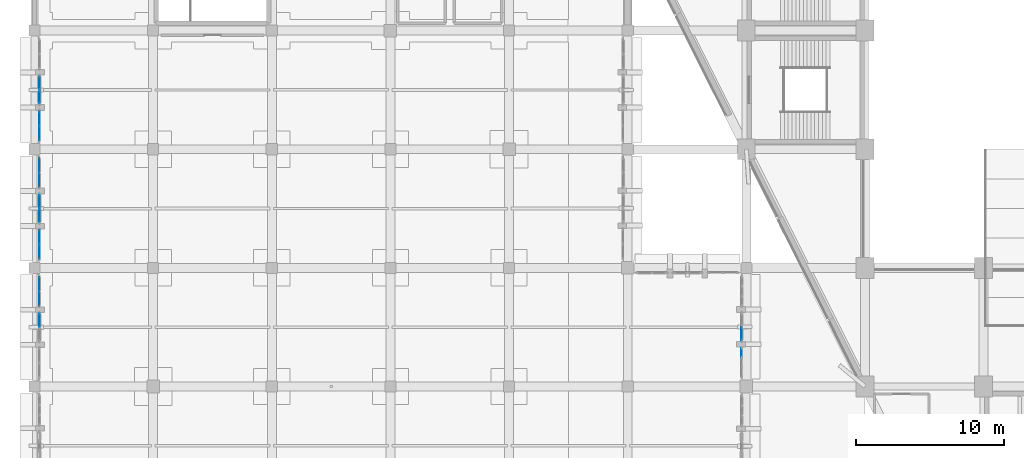
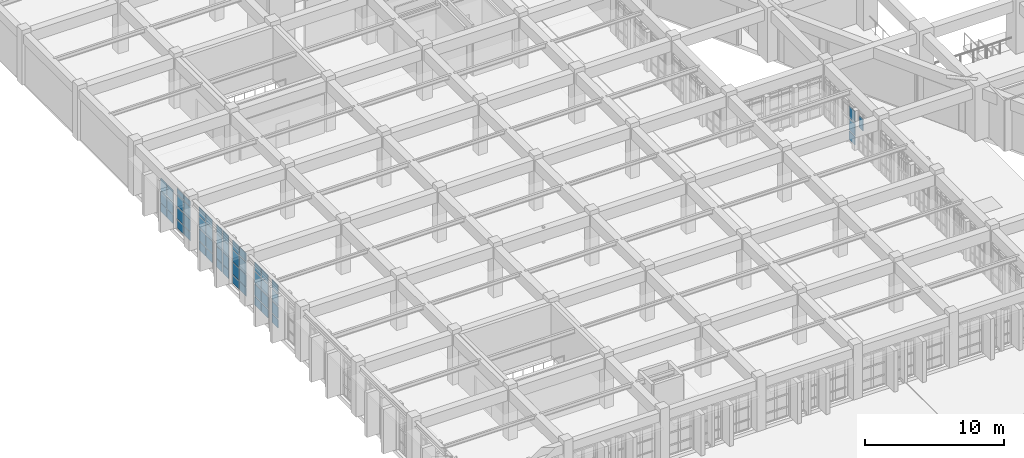
# One storey, part 89 of 155: 54 plates, 9 elements without a shape of their own.
"""IFC4 building model written with IfcOpenShell, lengths in metres."""

from ifc_helpers import new_model, si_unit, direction, frame, origin, origin_2d, place, context, subcontext, project, spatial, rectangle, extrude, material, layer, layer_set, type_object, element, aggregate, save


model = new_model("IFC4")

# Units and contexts
model_context = context("Model", 3, precision=1e-05, world=origin(), true_north=direction((0.0, 1.0)))
body_context = subcontext(model_context, "Body", "Model", "MODEL_VIEW")
ifc_project = project(units=[si_unit("LENGTHUNIT", "METRE"), si_unit("AREAUNIT", "SQUARE_METRE"), si_unit("VOLUMEUNIT", "CUBIC_METRE"), si_unit("PLANEANGLEUNIT", "RADIAN"), si_unit("MASSUNIT", "GRAM", prefix="KILO")], contexts=[model_context])

# Site, building, storey
site_placement = place(None, origin())
site = spatial("IfcSite", under=ifc_project, at=site_placement, CompositionType="ELEMENT")
building_placement = place(site_placement, origin())
building = spatial("IfcBuilding", under=site, at=building_placement, Name="Tazarka Park Arena", CompositionType="ELEMENT")
storey_placement = place(building_placement, frame((0.0, 0.0, 5.39990234375)))
storey = spatial("IfcBuildingStorey", under=building, at=storey_placement, Name="L01", CompositionType="ELEMENT", Elevation=5.39990234375)

# Curtain wall, plate
ifc_material_1 = material(Name="Aluminium and low-e glass", Category="aluminium")
ifc_layer_1 = layer(ifc_material_1, 0.179931640625, Name="Aluminium and low-e glass")
ifc_layer_set_1 = layer_set([ifc_layer_1], Name="Aluminium and low-e glass")
curtain_wall_type_1 = type_object("IfcCurtainWallType", Name="CW-09", PredefinedType="NOTDEFINED", material=ifc_layer_set_1)
curtain_wall_1_placement = place(storey_placement, origin())
curtain_wall_1 = element("IfcCurtainWall", 1, at=curtain_wall_1_placement, inside=storey, type_object=curtain_wall_type_1, Name="Curtain Wall CWA-L01-099", PredefinedType="NOTDEFINED")
ifc_material_2 = material(Name="Double low-e insulated glazing", Category="glass")
ifc_layer_2 = layer(ifc_material_2, 0.028076171875, Name="Double low-e insulated glazing")
ifc_layer_set_2 = layer_set([ifc_layer_2], Name="Double low-e insulated glazing")
plate_type_1 = type_object("IfcPlateType", Name="CWP-01", PredefinedType="CURTAIN_PANEL", material=ifc_layer_set_2)
plate_1_placement = place(storey_placement, frame((47.679931640625, 34.285888671875, 1.982421875), z_axis=(0.0, 0.0, 1.0), x_axis=(0.0, -1.0, 0.0)))
plate_1 = element("IfcPlate", 2, at=plate_1_placement, type_object=plate_type_1, Name="CW-09 panel 1.3", PredefinedType="CURTAIN_PANEL", context=body_context, shape_type="SweptSolid", body=[
    extrude(rectangle(XDim=0.581298828125, YDim=0.028076171875, at=origin_2d()), origin(), (0.0, 0.0, 1.0), 1.034912109375),
])
aggregate(curtain_wall_1, [plate_1])

# Curtain wall, plates
ifc_material_3 = material(Name="Aluminium and low-e glass", Category="aluminium")
ifc_layer_3 = layer(ifc_material_3, 0.179931640625, Name="Aluminium and low-e glass")
ifc_layer_set_3 = layer_set([ifc_layer_3], Name="Aluminium and low-e glass")
curtain_wall_type_2 = type_object("IfcCurtainWallType", Name="CW-24", PredefinedType="NOTDEFINED", material=ifc_layer_set_3)
curtain_wall_2_placement = place(storey_placement, origin())
curtain_wall_2 = element("IfcCurtainWall", 3, at=curtain_wall_2_placement, inside=storey, type_object=curtain_wall_type_2, Name="Curtain Wall CWA-L01-144", PredefinedType="NOTDEFINED")
plate_2_placement = place(storey_placement, frame((0.320068359375, 45.92138671875, 0.065185546875), z_axis=(0.0, 0.0, 1.0), x_axis=(0.0, 1.0, 0.0)))
plate_2 = element("IfcPlate", 4, at=plate_2_placement, type_object=plate_type_1, Name="CW-24 panel 1.1", PredefinedType="CURTAIN_PANEL", context=body_context, shape_type="SweptSolid", body=[
    extrude(rectangle(XDim=0.92919921875, YDim=0.028076171875, at=origin_2d()), origin(), (0.0, 0.0, 1.0), 0.75244140625),
])
plate_3_placement = place(storey_placement, frame((0.320068359375, 45.92138671875, 0.8828125), z_axis=(0.0, 0.0, 1.0), x_axis=(0.0, 1.0, 0.0)))
plate_3 = element("IfcPlate", 5, at=plate_3_placement, type_object=plate_type_1, Name="CW-24 panel 1.2", PredefinedType="CURTAIN_PANEL", context=body_context, shape_type="SweptSolid", body=[
    extrude(rectangle(XDim=0.92919921875, YDim=0.028076171875, at=origin_2d()), origin(), (0.0, 0.0, 1.0), 1.034912109375),
])
plate_4_placement = place(storey_placement, frame((0.320068359375, 45.92138671875, 1.982421875), z_axis=(0.0, 0.0, 1.0), x_axis=(0.0, 1.0, 0.0)))
plate_4 = element("IfcPlate", 6, at=plate_4_placement, type_object=plate_type_1, Name="CW-24 panel 1.3", PredefinedType="CURTAIN_PANEL", context=body_context, shape_type="SweptSolid", body=[
    extrude(rectangle(XDim=0.92919921875, YDim=0.028076171875, at=origin_2d()), origin(), (0.0, 0.0, 1.0), 1.034912109375),
])
plate_5_placement = place(storey_placement, frame((0.320068359375, 45.92138671875, 3.08251953125), z_axis=(0.0, 0.0, 1.0), x_axis=(0.0, 1.0, 0.0)))
plate_5 = element("IfcPlate", 7, at=plate_5_placement, type_object=plate_type_1, Name="CW-24 panel 1.4", PredefinedType="CURTAIN_PANEL", context=body_context, shape_type="SweptSolid", body=[
    extrude(rectangle(XDim=0.92919921875, YDim=0.028076171875, at=origin_2d()), origin(), (0.0, 0.0, 1.0), 0.762451171875),
])
plate_6_placement = place(storey_placement, frame((0.320068359375, 46.91552734375, 0.065185546875), z_axis=(0.0, 0.0, 1.0), x_axis=(0.0, 1.0, 0.0)))
plate_6 = element("IfcPlate", 8, at=plate_6_placement, type_object=plate_type_1, Name="CW-24 panel 2.1", PredefinedType="CURTAIN_PANEL", context=body_context, shape_type="SweptSolid", body=[
    extrude(rectangle(XDim=0.92919921875, YDim=0.028076171875, at=origin_2d()), origin(), (0.0, 0.0, 1.0), 0.75244140625),
])
plate_7_placement = place(storey_placement, frame((0.320068359375, 46.91552734375, 0.8828125), z_axis=(0.0, 0.0, 1.0), x_axis=(0.0, 1.0, 0.0)))
plate_7 = element("IfcPlate", 9, at=plate_7_placement, type_object=plate_type_1, Name="CW-24 panel 2.2", PredefinedType="CURTAIN_PANEL", context=body_context, shape_type="SweptSolid", body=[
    extrude(rectangle(XDim=0.92919921875, YDim=0.028076171875, at=origin_2d()), origin(), (0.0, 0.0, 1.0), 1.034912109375),
])
plate_8_placement = place(storey_placement, frame((0.320068359375, 46.91552734375, 1.982421875), z_axis=(0.0, 0.0, 1.0), x_axis=(0.0, 1.0, 0.0)))
plate_8 = element("IfcPlate", 10, at=plate_8_placement, type_object=plate_type_1, Name="CW-24 panel 2.3", PredefinedType="CURTAIN_PANEL", context=body_context, shape_type="SweptSolid", body=[
    extrude(rectangle(XDim=0.92919921875, YDim=0.028076171875, at=origin_2d()), origin(), (0.0, 0.0, 1.0), 1.034912109375),
])
plate_9_placement = place(storey_placement, frame((0.320068359375, 46.91552734375, 3.08251953125), z_axis=(0.0, 0.0, 1.0), x_axis=(0.0, 1.0, 0.0)))
plate_9 = element("IfcPlate", 11, at=plate_9_placement, type_object=plate_type_1, Name="CW-24 panel 2.4", PredefinedType="CURTAIN_PANEL", context=body_context, shape_type="SweptSolid", body=[
    extrude(rectangle(XDim=0.92919921875, YDim=0.028076171875, at=origin_2d()), origin(), (0.0, 0.0, 1.0), 0.762451171875),
])
aggregate(curtain_wall_2, [plate_2, plate_3, plate_4, plate_5, plate_6, plate_7, plate_8, plate_9])

ifc_material_4 = material(Name="Aluminium and low-e glass", Category="aluminium")
ifc_layer_4 = layer(ifc_material_4, 0.179931640625, Name="Aluminium and low-e glass")
ifc_layer_set_4 = layer_set([ifc_layer_4], Name="Aluminium and low-e glass")
curtain_wall_type_3 = type_object("IfcCurtainWallType", Name="CW-27", PredefinedType="NOTDEFINED", material=ifc_layer_set_4)
curtain_wall_3_placement = place(storey_placement, origin())
curtain_wall_3 = element("IfcCurtainWall", 12, at=curtain_wall_3_placement, inside=storey, type_object=curtain_wall_type_3, Name="Curtain Wall CWA-L01-147", PredefinedType="NOTDEFINED")
plate_10_placement = place(storey_placement, frame((0.320068359375, 37.92138671875, 0.065185546875), z_axis=(0.0, 0.0, 1.0), x_axis=(0.0, 1.0, 0.0)))
plate_10 = element("IfcPlate", 13, at=plate_10_placement, type_object=plate_type_1, Name="CW-27 panel 1.1", PredefinedType="CURTAIN_PANEL", context=body_context, shape_type="SweptSolid", body=[
    extrude(rectangle(XDim=0.92919921875, YDim=0.028076171875, at=origin_2d()), origin(), (0.0, 0.0, 1.0), 0.75244140625),
])
plate_11_placement = place(storey_placement, frame((0.320068359375, 37.92138671875, 0.8828125), z_axis=(0.0, 0.0, 1.0), x_axis=(0.0, 1.0, 0.0)))
plate_11 = element("IfcPlate", 14, at=plate_11_placement, type_object=plate_type_1, Name="CW-27 panel 1.2", PredefinedType="CURTAIN_PANEL", context=body_context, shape_type="SweptSolid", body=[
    extrude(rectangle(XDim=0.92919921875, YDim=0.028076171875, at=origin_2d()), origin(), (0.0, 0.0, 1.0), 1.034912109375),
])
plate_12_placement = place(storey_placement, frame((0.320068359375, 37.92138671875, 1.982421875), z_axis=(0.0, 0.0, 1.0), x_axis=(0.0, 1.0, 0.0)))
plate_12 = element("IfcPlate", 15, at=plate_12_placement, type_object=plate_type_1, Name="CW-27 panel 1.3", PredefinedType="CURTAIN_PANEL", context=body_context, shape_type="SweptSolid", body=[
    extrude(rectangle(XDim=0.92919921875, YDim=0.028076171875, at=origin_2d()), origin(), (0.0, 0.0, 1.0), 1.034912109375),
])
plate_13_placement = place(storey_placement, frame((0.320068359375, 37.92138671875, 3.08251953125), z_axis=(0.0, 0.0, 1.0), x_axis=(0.0, 1.0, 0.0)))
plate_13 = element("IfcPlate", 16, at=plate_13_placement, type_object=plate_type_1, Name="CW-27 panel 1.4", PredefinedType="CURTAIN_PANEL", context=body_context, shape_type="SweptSolid", body=[
    extrude(rectangle(XDim=0.92919921875, YDim=0.028076171875, at=origin_2d()), origin(), (0.0, 0.0, 1.0), 0.762451171875),
])
plate_14_placement = place(storey_placement, frame((0.320068359375, 38.91552734375, 0.065185546875), z_axis=(0.0, 0.0, 1.0), x_axis=(0.0, 1.0, 0.0)))
plate_14 = element("IfcPlate", 17, at=plate_14_placement, type_object=plate_type_1, Name="CW-27 panel 2.1", PredefinedType="CURTAIN_PANEL", context=body_context, shape_type="SweptSolid", body=[
    extrude(rectangle(XDim=0.92919921875, YDim=0.028076171875, at=origin_2d()), origin(), (0.0, 0.0, 1.0), 0.75244140625),
])
plate_15_placement = place(storey_placement, frame((0.320068359375, 38.91552734375, 0.8828125), z_axis=(0.0, 0.0, 1.0), x_axis=(0.0, 1.0, 0.0)))
plate_15 = element("IfcPlate", 18, at=plate_15_placement, type_object=plate_type_1, Name="CW-27 panel 2.2", PredefinedType="CURTAIN_PANEL", context=body_context, shape_type="SweptSolid", body=[
    extrude(rectangle(XDim=0.92919921875, YDim=0.028076171875, at=origin_2d()), origin(), (0.0, 0.0, 1.0), 1.034912109375),
])
plate_16_placement = place(storey_placement, frame((0.320068359375, 38.91552734375, 1.982421875), z_axis=(0.0, 0.0, 1.0), x_axis=(0.0, 1.0, 0.0)))
plate_16 = element("IfcPlate", 19, at=plate_16_placement, type_object=plate_type_1, Name="CW-27 panel 2.3", PredefinedType="CURTAIN_PANEL", context=body_context, shape_type="SweptSolid", body=[
    extrude(rectangle(XDim=0.92919921875, YDim=0.028076171875, at=origin_2d()), origin(), (0.0, 0.0, 1.0), 1.034912109375),
])
plate_17_placement = place(storey_placement, frame((0.320068359375, 38.91552734375, 3.08251953125), z_axis=(0.0, 0.0, 1.0), x_axis=(0.0, 1.0, 0.0)))
plate_17 = element("IfcPlate", 20, at=plate_17_placement, type_object=plate_type_1, Name="CW-27 panel 2.4", PredefinedType="CURTAIN_PANEL", context=body_context, shape_type="SweptSolid", body=[
    extrude(rectangle(XDim=0.92919921875, YDim=0.028076171875, at=origin_2d()), origin(), (0.0, 0.0, 1.0), 0.762451171875),
])
aggregate(curtain_wall_3, [plate_10, plate_11, plate_12, plate_13, plate_14, plate_15, plate_16, plate_17])

ifc_material_5 = material(Name="Aluminium and low-e glass", Category="aluminium")
ifc_layer_5 = layer(ifc_material_5, 0.179931640625, Name="Aluminium and low-e glass")
ifc_layer_set_5 = layer_set([ifc_layer_5], Name="Aluminium and low-e glass")
curtain_wall_type_4 = type_object("IfcCurtainWallType", Name="CW-19", PredefinedType="NOTDEFINED", material=ifc_layer_set_5)
curtain_wall_4_placement = place(storey_placement, origin())
curtain_wall_4 = element("IfcCurtainWall", 21, at=curtain_wall_4_placement, inside=storey, type_object=curtain_wall_type_4, Name="Curtain Wall CWA-L01-139", PredefinedType="NOTDEFINED")
ifc_material_6 = material(Name="Triple acoustic solar glazing", Category="glass")
ifc_layer_6 = layer(ifc_material_6, 0.031982421875, Name="Triple acoustic solar glazing")
ifc_layer_set_6 = layer_set([ifc_layer_6], Name="Triple acoustic solar glazing")
plate_type_2 = type_object("IfcPlateType", Name="CWP-02", PredefinedType="CURTAIN_PANEL", material=ifc_layer_set_6)
plate_18_placement = place(storey_placement, frame((0.320068359375, 49.08447265625, 0.065185546875), z_axis=(0.0, 0.0, 1.0), x_axis=(0.0, 1.0, 0.0)))
plate_18 = element("IfcPlate", 22, at=plate_18_placement, type_object=plate_type_2, Name="CW-19 panel 1.1", PredefinedType="CURTAIN_PANEL", context=body_context, shape_type="SweptSolid", body=[
    extrude(rectangle(XDim=0.92919921875, YDim=0.031982421875, at=origin_2d()), origin(), (0.0, 0.0, 1.0), 0.75244140625),
])
plate_19_placement = place(storey_placement, frame((0.320068359375, 49.08447265625, 0.8828125), z_axis=(0.0, 0.0, 1.0), x_axis=(0.0, 1.0, 0.0)))
plate_19 = element("IfcPlate", 23, at=plate_19_placement, type_object=plate_type_2, Name="CW-19 panel 1.2", PredefinedType="CURTAIN_PANEL", context=body_context, shape_type="SweptSolid", body=[
    extrude(rectangle(XDim=0.92919921875, YDim=0.031982421875, at=origin_2d()), origin(), (0.0, 0.0, 1.0), 1.034912109375),
])
plate_20_placement = place(storey_placement, frame((0.320068359375, 49.08447265625, 1.982421875), z_axis=(0.0, 0.0, 1.0), x_axis=(0.0, 1.0, 0.0)))
plate_20 = element("IfcPlate", 24, at=plate_20_placement, type_object=plate_type_2, Name="CW-19 panel 1.3", PredefinedType="CURTAIN_PANEL", context=body_context, shape_type="SweptSolid", body=[
    extrude(rectangle(XDim=0.92919921875, YDim=0.031982421875, at=origin_2d()), origin(), (0.0, 0.0, 1.0), 1.034912109375),
])
plate_21_placement = place(storey_placement, frame((0.320068359375, 49.08447265625, 3.08251953125), z_axis=(0.0, 0.0, 1.0), x_axis=(0.0, 1.0, 0.0)))
plate_21 = element("IfcPlate", 25, at=plate_21_placement, type_object=plate_type_2, Name="CW-19 panel 1.4", PredefinedType="CURTAIN_PANEL", context=body_context, shape_type="SweptSolid", body=[
    extrude(rectangle(XDim=0.92919921875, YDim=0.031982421875, at=origin_2d()), origin(), (0.0, 0.0, 1.0), 0.452392578125),
])
plate_22_placement = place(storey_placement, frame((0.320068359375, 50.07861328125, 0.065185546875), z_axis=(0.0, 0.0, 1.0), x_axis=(0.0, 1.0, 0.0)))
plate_22 = element("IfcPlate", 26, at=plate_22_placement, type_object=plate_type_2, Name="CW-19 panel 2.1", PredefinedType="CURTAIN_PANEL", context=body_context, shape_type="SweptSolid", body=[
    extrude(rectangle(XDim=0.92919921875, YDim=0.031982421875, at=origin_2d()), origin(), (0.0, 0.0, 1.0), 0.75244140625),
])
plate_23_placement = place(storey_placement, frame((0.320068359375, 50.07861328125, 0.8828125), z_axis=(0.0, 0.0, 1.0), x_axis=(0.0, 1.0, 0.0)))
plate_23 = element("IfcPlate", 27, at=plate_23_placement, type_object=plate_type_2, Name="CW-19 panel 2.2", PredefinedType="CURTAIN_PANEL", context=body_context, shape_type="SweptSolid", body=[
    extrude(rectangle(XDim=0.92919921875, YDim=0.031982421875, at=origin_2d()), origin(), (0.0, 0.0, 1.0), 1.034912109375),
])
plate_24_placement = place(storey_placement, frame((0.320068359375, 50.07861328125, 1.982421875), z_axis=(0.0, 0.0, 1.0), x_axis=(0.0, 1.0, 0.0)))
plate_24 = element("IfcPlate", 28, at=plate_24_placement, type_object=plate_type_2, Name="CW-19 panel 2.3", PredefinedType="CURTAIN_PANEL", context=body_context, shape_type="SweptSolid", body=[
    extrude(rectangle(XDim=0.92919921875, YDim=0.031982421875, at=origin_2d()), origin(), (0.0, 0.0, 1.0), 1.034912109375),
])
plate_25_placement = place(storey_placement, frame((0.320068359375, 50.07861328125, 3.08251953125), z_axis=(0.0, 0.0, 1.0), x_axis=(0.0, 1.0, 0.0)))
plate_25 = element("IfcPlate", 29, at=plate_25_placement, type_object=plate_type_2, Name="CW-19 panel 2.4", PredefinedType="CURTAIN_PANEL", context=body_context, shape_type="SweptSolid", body=[
    extrude(rectangle(XDim=0.92919921875, YDim=0.031982421875, at=origin_2d()), origin(), (0.0, 0.0, 1.0), 0.452392578125),
])
aggregate(curtain_wall_4, [plate_18, plate_19, plate_20, plate_21, plate_22, plate_23, plate_24, plate_25])

ifc_material_7 = material(Name="Aluminium and low-e glass", Category="aluminium")
ifc_layer_7 = layer(ifc_material_7, 0.179931640625, Name="Aluminium and low-e glass")
ifc_layer_set_7 = layer_set([ifc_layer_7], Name="Aluminium and low-e glass")
curtain_wall_type_5 = type_object("IfcCurtainWallType", Name="CW-22", PredefinedType="NOTDEFINED", material=ifc_layer_set_7)
curtain_wall_5_placement = place(storey_placement, origin())
curtain_wall_5 = element("IfcCurtainWall", 30, at=curtain_wall_5_placement, inside=storey, type_object=curtain_wall_type_5, Name="Curtain Wall CWA-L01-142", PredefinedType="NOTDEFINED")
plate_26_placement = place(storey_placement, frame((0.320068359375, 41.08447265625, 0.065185546875), z_axis=(0.0, 0.0, 1.0), x_axis=(0.0, 1.0, 0.0)))
plate_26 = element("IfcPlate", 31, at=plate_26_placement, type_object=plate_type_2, Name="CW-22 panel 1.1", PredefinedType="CURTAIN_PANEL", context=body_context, shape_type="SweptSolid", body=[
    extrude(rectangle(XDim=0.92919921875, YDim=0.031982421875, at=origin_2d()), origin(), (0.0, 0.0, 1.0), 0.75244140625),
])
plate_27_placement = place(storey_placement, frame((0.320068359375, 41.08447265625, 0.8828125), z_axis=(0.0, 0.0, 1.0), x_axis=(0.0, 1.0, 0.0)))
plate_27 = element("IfcPlate", 32, at=plate_27_placement, type_object=plate_type_2, Name="CW-22 panel 1.2", PredefinedType="CURTAIN_PANEL", context=body_context, shape_type="SweptSolid", body=[
    extrude(rectangle(XDim=0.92919921875, YDim=0.031982421875, at=origin_2d()), origin(), (0.0, 0.0, 1.0), 1.034912109375),
])
plate_28_placement = place(storey_placement, frame((0.320068359375, 41.08447265625, 1.982421875), z_axis=(0.0, 0.0, 1.0), x_axis=(0.0, 1.0, 0.0)))
plate_28 = element("IfcPlate", 33, at=plate_28_placement, type_object=plate_type_2, Name="CW-22 panel 1.3", PredefinedType="CURTAIN_PANEL", context=body_context, shape_type="SweptSolid", body=[
    extrude(rectangle(XDim=0.92919921875, YDim=0.031982421875, at=origin_2d()), origin(), (0.0, 0.0, 1.0), 1.034912109375),
])
plate_29_placement = place(storey_placement, frame((0.320068359375, 41.08447265625, 3.08251953125), z_axis=(0.0, 0.0, 1.0), x_axis=(0.0, 1.0, 0.0)))
plate_29 = element("IfcPlate", 34, at=plate_29_placement, type_object=plate_type_2, Name="CW-22 panel 1.4", PredefinedType="CURTAIN_PANEL", context=body_context, shape_type="SweptSolid", body=[
    extrude(rectangle(XDim=0.92919921875, YDim=0.031982421875, at=origin_2d()), origin(), (0.0, 0.0, 1.0), 0.762451171875),
])
plate_30_placement = place(storey_placement, frame((0.320068359375, 42.07861328125, 0.065185546875), z_axis=(0.0, 0.0, 1.0), x_axis=(0.0, 1.0, 0.0)))
plate_30 = element("IfcPlate", 35, at=plate_30_placement, type_object=plate_type_2, Name="CW-22 panel 2.1", PredefinedType="CURTAIN_PANEL", context=body_context, shape_type="SweptSolid", body=[
    extrude(rectangle(XDim=0.92919921875, YDim=0.031982421875, at=origin_2d()), origin(), (0.0, 0.0, 1.0), 0.75244140625),
])
plate_31_placement = place(storey_placement, frame((0.320068359375, 42.07861328125, 0.8828125), z_axis=(0.0, 0.0, 1.0), x_axis=(0.0, 1.0, 0.0)))
plate_31 = element("IfcPlate", 36, at=plate_31_placement, type_object=plate_type_2, Name="CW-22 panel 2.2", PredefinedType="CURTAIN_PANEL", context=body_context, shape_type="SweptSolid", body=[
    extrude(rectangle(XDim=0.92919921875, YDim=0.031982421875, at=origin_2d()), origin(), (0.0, 0.0, 1.0), 1.034912109375),
])
plate_32_placement = place(storey_placement, frame((0.320068359375, 42.07861328125, 1.982421875), z_axis=(0.0, 0.0, 1.0), x_axis=(0.0, 1.0, 0.0)))
plate_32 = element("IfcPlate", 37, at=plate_32_placement, type_object=plate_type_2, Name="CW-22 panel 2.3", PredefinedType="CURTAIN_PANEL", context=body_context, shape_type="SweptSolid", body=[
    extrude(rectangle(XDim=0.92919921875, YDim=0.031982421875, at=origin_2d()), origin(), (0.0, 0.0, 1.0), 1.034912109375),
])
plate_33_placement = place(storey_placement, frame((0.320068359375, 42.07861328125, 3.08251953125), z_axis=(0.0, 0.0, 1.0), x_axis=(0.0, 1.0, 0.0)))
plate_33 = element("IfcPlate", 38, at=plate_33_placement, type_object=plate_type_2, Name="CW-22 panel 2.4", PredefinedType="CURTAIN_PANEL", context=body_context, shape_type="SweptSolid", body=[
    extrude(rectangle(XDim=0.92919921875, YDim=0.031982421875, at=origin_2d()), origin(), (0.0, 0.0, 1.0), 0.762451171875),
])
aggregate(curtain_wall_5, [plate_26, plate_27, plate_28, plate_29, plate_30, plate_31, plate_32, plate_33])

ifc_material_8 = material(Name="Aluminium and low-e glass", Category="aluminium")
ifc_layer_8 = layer(ifc_material_8, 0.179931640625, Name="Aluminium and low-e glass")
ifc_layer_set_8 = layer_set([ifc_layer_8], Name="Aluminium and low-e glass")
curtain_wall_type_6 = type_object("IfcCurtainWallType", Name="CW-08", PredefinedType="NOTDEFINED", material=ifc_layer_set_8)
curtain_wall_6_placement = place(storey_placement, origin())
curtain_wall_6 = element("IfcCurtainWall", 39, at=curtain_wall_6_placement, inside=storey, type_object=curtain_wall_type_6, Name="Curtain Wall CWA-L01-098", PredefinedType="NOTDEFINED")
ifc_material_9 = material(Name="Insulated aluminium spandrel panel", Category="aluminium")
ifc_layer_9 = layer(ifc_material_9, 0.035888671875, Name="Insulated aluminium spandrel panel")
ifc_layer_set_9 = layer_set([ifc_layer_9], Name="Insulated aluminium spandrel panel")
plate_type_3 = type_object("IfcPlateType", Name="CWP-03", PredefinedType="CURTAIN_PANEL", material=ifc_layer_set_9)
plate_34_placement = place(storey_placement, frame((47.679931640625, 35.56201171875, 0.0751953125), z_axis=(0.0, 0.0, 1.0), x_axis=(0.0, -1.0, 0.0)))
plate_34 = element("IfcPlate", 40, at=plate_34_placement, type_object=plate_type_3, Name="CW-08 panel 2.1", PredefinedType="CURTAIN_PANEL", context=body_context, shape_type="SweptSolid", body=[
    extrude(rectangle(XDim=0.850830078125, YDim=0.035888671875, at=origin_2d()), origin(), (0.0, 0.0, 1.0), 0.737548828125),
])
plate_35_placement = place(storey_placement, frame((47.679931640625, 35.56201171875, 0.8876953125), z_axis=(0.0, 0.0, 1.0), x_axis=(0.0, -1.0, 0.0)))
plate_35 = element("IfcPlate", 41, at=plate_35_placement, type_object=plate_type_3, Name="CW-08 panel 2.2", PredefinedType="CURTAIN_PANEL", context=body_context, shape_type="SweptSolid", body=[
    extrude(rectangle(XDim=0.850830078125, YDim=0.035888671875, at=origin_2d()), origin(), (0.0, 0.0, 1.0), 1.02490234375),
])
plate_36_placement = place(storey_placement, frame((47.679931640625, 35.56201171875, 1.987548828125), z_axis=(0.0, 0.0, 1.0), x_axis=(0.0, -1.0, 0.0)))
plate_36 = element("IfcPlate", 42, at=plate_36_placement, type_object=plate_type_3, Name="CW-08 panel 2.3", PredefinedType="CURTAIN_PANEL", context=body_context, shape_type="SweptSolid", body=[
    extrude(rectangle(XDim=0.850830078125, YDim=0.035888671875, at=origin_2d()), origin(), (0.0, 0.0, 1.0), 1.02490234375),
])
aggregate(curtain_wall_6, [plate_34, plate_35, plate_36])

ifc_material_10 = material(Name="Aluminium and low-e glass", Category="aluminium")
ifc_layer_10 = layer(ifc_material_10, 0.179931640625, Name="Aluminium and low-e glass")
ifc_layer_set_10 = layer_set([ifc_layer_10], Name="Aluminium and low-e glass")
curtain_wall_type_7 = type_object("IfcCurtainWallType", Name="CW-20", PredefinedType="NOTDEFINED", material=ifc_layer_set_10)
curtain_wall_7_placement = place(storey_placement, origin())
curtain_wall_7 = element("IfcCurtainWall", 43, at=curtain_wall_7_placement, inside=storey, type_object=curtain_wall_type_7, Name="Curtain Wall CWA-L01-140", PredefinedType="NOTDEFINED")
plate_37_placement = place(storey_placement, frame((0.320068359375, 51.532958984375, 0.0751953125), z_axis=(0.0, 0.0, 1.0), x_axis=(0.0, 1.0, 0.0)))
plate_37 = element("IfcPlate", 44, at=plate_37_placement, type_object=plate_type_3, Name="CW-20 panel 1.1", PredefinedType="CURTAIN_PANEL", context=body_context, shape_type="SweptSolid", body=[
    extrude(rectangle(XDim=0.859130859375, YDim=0.035888671875, at=origin_2d()), origin(), (0.0, 0.0, 1.0), 0.737548828125),
])
plate_38_placement = place(storey_placement, frame((0.320068359375, 51.532958984375, 0.8876953125), z_axis=(0.0, 0.0, 1.0), x_axis=(0.0, 1.0, 0.0)))
plate_38 = element("IfcPlate", 45, at=plate_38_placement, type_object=plate_type_3, Name="CW-20 panel 1.2", PredefinedType="CURTAIN_PANEL", context=body_context, shape_type="SweptSolid", body=[
    extrude(rectangle(XDim=0.859130859375, YDim=0.035888671875, at=origin_2d()), origin(), (0.0, 0.0, 1.0), 1.02490234375),
])
plate_39_placement = place(storey_placement, frame((0.320068359375, 51.532958984375, 1.987548828125), z_axis=(0.0, 0.0, 1.0), x_axis=(0.0, 1.0, 0.0)))
plate_39 = element("IfcPlate", 46, at=plate_39_placement, type_object=plate_type_3, Name="CW-20 panel 1.3", PredefinedType="CURTAIN_PANEL", context=body_context, shape_type="SweptSolid", body=[
    extrude(rectangle(XDim=0.859130859375, YDim=0.035888671875, at=origin_2d()), origin(), (0.0, 0.0, 1.0), 1.02490234375),
])
plate_40_placement = place(storey_placement, frame((0.320068359375, 52.467041015625, 0.0751953125), z_axis=(0.0, 0.0, 1.0), x_axis=(0.0, 1.0, 0.0)))
plate_40 = element("IfcPlate", 47, at=plate_40_placement, type_object=plate_type_3, Name="CW-20 panel 2.1", PredefinedType="CURTAIN_PANEL", context=body_context, shape_type="SweptSolid", body=[
    extrude(rectangle(XDim=0.859130859375, YDim=0.035888671875, at=origin_2d()), origin(), (0.0, 0.0, 1.0), 0.737548828125),
])
plate_41_placement = place(storey_placement, frame((0.320068359375, 52.467041015625, 0.8876953125), z_axis=(0.0, 0.0, 1.0), x_axis=(0.0, 1.0, 0.0)))
plate_41 = element("IfcPlate", 48, at=plate_41_placement, type_object=plate_type_3, Name="CW-20 panel 2.2", PredefinedType="CURTAIN_PANEL", context=body_context, shape_type="SweptSolid", body=[
    extrude(rectangle(XDim=0.859130859375, YDim=0.035888671875, at=origin_2d()), origin(), (0.0, 0.0, 1.0), 1.02490234375),
])
plate_42_placement = place(storey_placement, frame((0.320068359375, 52.467041015625, 1.987548828125), z_axis=(0.0, 0.0, 1.0), x_axis=(0.0, 1.0, 0.0)))
plate_42 = element("IfcPlate", 49, at=plate_42_placement, type_object=plate_type_3, Name="CW-20 panel 2.3", PredefinedType="CURTAIN_PANEL", context=body_context, shape_type="SweptSolid", body=[
    extrude(rectangle(XDim=0.859130859375, YDim=0.035888671875, at=origin_2d()), origin(), (0.0, 0.0, 1.0), 1.02490234375),
])
aggregate(curtain_wall_7, [plate_37, plate_38, plate_39, plate_40, plate_41, plate_42])

ifc_material_11 = material(Name="Aluminium and low-e glass", Category="aluminium")
ifc_layer_11 = layer(ifc_material_11, 0.179931640625, Name="Aluminium and low-e glass")
ifc_layer_set_11 = layer_set([ifc_layer_11], Name="Aluminium and low-e glass")
curtain_wall_type_8 = type_object("IfcCurtainWallType", Name="CW-23", PredefinedType="NOTDEFINED", material=ifc_layer_set_11)
curtain_wall_8_placement = place(storey_placement, origin())
curtain_wall_8 = element("IfcCurtainWall", 50, at=curtain_wall_8_placement, inside=storey, type_object=curtain_wall_type_8, Name="Curtain Wall CWA-L01-143", PredefinedType="NOTDEFINED")
plate_43_placement = place(storey_placement, frame((0.320068359375, 43.532958984375, 0.0751953125), z_axis=(0.0, 0.0, 1.0), x_axis=(0.0, 1.0, 0.0)))
plate_43 = element("IfcPlate", 51, at=plate_43_placement, type_object=plate_type_3, Name="CW-23 panel 1.1", PredefinedType="CURTAIN_PANEL", context=body_context, shape_type="SweptSolid", body=[
    extrude(rectangle(XDim=0.859130859375, YDim=0.035888671875, at=origin_2d()), origin(), (0.0, 0.0, 1.0), 0.737548828125),
])
plate_44_placement = place(storey_placement, frame((0.320068359375, 43.532958984375, 0.8876953125), z_axis=(0.0, 0.0, 1.0), x_axis=(0.0, 1.0, 0.0)))
plate_44 = element("IfcPlate", 52, at=plate_44_placement, type_object=plate_type_3, Name="CW-23 panel 1.2", PredefinedType="CURTAIN_PANEL", context=body_context, shape_type="SweptSolid", body=[
    extrude(rectangle(XDim=0.859130859375, YDim=0.035888671875, at=origin_2d()), origin(), (0.0, 0.0, 1.0), 1.02490234375),
])
plate_45_placement = place(storey_placement, frame((0.320068359375, 43.532958984375, 1.987548828125), z_axis=(0.0, 0.0, 1.0), x_axis=(0.0, 1.0, 0.0)))
plate_45 = element("IfcPlate", 53, at=plate_45_placement, type_object=plate_type_3, Name="CW-23 panel 1.3", PredefinedType="CURTAIN_PANEL", context=body_context, shape_type="SweptSolid", body=[
    extrude(rectangle(XDim=0.859130859375, YDim=0.035888671875, at=origin_2d()), origin(), (0.0, 0.0, 1.0), 1.02490234375),
])
plate_46_placement = place(storey_placement, frame((0.320068359375, 43.532958984375, 3.087646484375), z_axis=(0.0, 0.0, 1.0), x_axis=(0.0, 1.0, 0.0)))
plate_46 = element("IfcPlate", 54, at=plate_46_placement, type_object=plate_type_3, Name="CW-23 panel 1.4", PredefinedType="CURTAIN_PANEL", context=body_context, shape_type="SweptSolid", body=[
    extrude(rectangle(XDim=0.859130859375, YDim=0.035888671875, at=origin_2d()), origin(), (0.0, 0.0, 1.0), 0.74755859375),
])
plate_47_placement = place(storey_placement, frame((0.320068359375, 44.467041015625, 0.0751953125), z_axis=(0.0, 0.0, 1.0), x_axis=(0.0, 1.0, 0.0)))
plate_47 = element("IfcPlate", 55, at=plate_47_placement, type_object=plate_type_3, Name="CW-23 panel 2.1", PredefinedType="CURTAIN_PANEL", context=body_context, shape_type="SweptSolid", body=[
    extrude(rectangle(XDim=0.859130859375, YDim=0.035888671875, at=origin_2d()), origin(), (0.0, 0.0, 1.0), 0.737548828125),
])
plate_48_placement = place(storey_placement, frame((0.320068359375, 44.467041015625, 0.8876953125), z_axis=(0.0, 0.0, 1.0), x_axis=(0.0, 1.0, 0.0)))
plate_48 = element("IfcPlate", 56, at=plate_48_placement, type_object=plate_type_3, Name="CW-23 panel 2.2", PredefinedType="CURTAIN_PANEL", context=body_context, shape_type="SweptSolid", body=[
    extrude(rectangle(XDim=0.859130859375, YDim=0.035888671875, at=origin_2d()), origin(), (0.0, 0.0, 1.0), 1.02490234375),
])
plate_49_placement = place(storey_placement, frame((0.320068359375, 44.467041015625, 1.987548828125), z_axis=(0.0, 0.0, 1.0), x_axis=(0.0, 1.0, 0.0)))
plate_49 = element("IfcPlate", 57, at=plate_49_placement, type_object=plate_type_3, Name="CW-23 panel 2.3", PredefinedType="CURTAIN_PANEL", context=body_context, shape_type="SweptSolid", body=[
    extrude(rectangle(XDim=0.859130859375, YDim=0.035888671875, at=origin_2d()), origin(), (0.0, 0.0, 1.0), 1.02490234375),
])
plate_50_placement = place(storey_placement, frame((0.320068359375, 44.467041015625, 3.087646484375), z_axis=(0.0, 0.0, 1.0), x_axis=(0.0, 1.0, 0.0)))
plate_50 = element("IfcPlate", 58, at=plate_50_placement, type_object=plate_type_3, Name="CW-23 panel 2.4", PredefinedType="CURTAIN_PANEL", context=body_context, shape_type="SweptSolid", body=[
    extrude(rectangle(XDim=0.859130859375, YDim=0.035888671875, at=origin_2d()), origin(), (0.0, 0.0, 1.0), 0.74755859375),
])
aggregate(curtain_wall_8, [plate_43, plate_44, plate_45, plate_46, plate_47, plate_48, plate_49, plate_50])

ifc_material_12 = material(Name="Aluminium and low-e glass", Category="aluminium")
ifc_layer_12 = layer(ifc_material_12, 0.179931640625, Name="Aluminium and low-e glass")
ifc_layer_set_12 = layer_set([ifc_layer_12], Name="Aluminium and low-e glass")
curtain_wall_type_9 = type_object("IfcCurtainWallType", Name="CW-26", PredefinedType="NOTDEFINED", material=ifc_layer_set_12)
curtain_wall_9_placement = place(storey_placement, origin())
curtain_wall_9 = element("IfcCurtainWall", 59, at=curtain_wall_9_placement, inside=storey, type_object=curtain_wall_type_9, Name="Curtain Wall CWA-L01-146", PredefinedType="NOTDEFINED")
plate_51_placement = place(storey_placement, frame((0.320068359375, 36.467041015625, 0.0751953125), z_axis=(0.0, 0.0, 1.0), x_axis=(0.0, 1.0, 0.0)))
plate_51 = element("IfcPlate", 60, at=plate_51_placement, type_object=plate_type_3, Name="CW-26 panel 2.1", PredefinedType="CURTAIN_PANEL", context=body_context, shape_type="SweptSolid", body=[
    extrude(rectangle(XDim=0.859130859375, YDim=0.035888671875, at=origin_2d()), origin(), (0.0, 0.0, 1.0), 0.737548828125),
])
plate_52_placement = place(storey_placement, frame((0.320068359375, 36.467041015625, 0.8876953125), z_axis=(0.0, 0.0, 1.0), x_axis=(0.0, 1.0, 0.0)))
plate_52 = element("IfcPlate", 61, at=plate_52_placement, type_object=plate_type_3, Name="CW-26 panel 2.2", PredefinedType="CURTAIN_PANEL", context=body_context, shape_type="SweptSolid", body=[
    extrude(rectangle(XDim=0.859130859375, YDim=0.035888671875, at=origin_2d()), origin(), (0.0, 0.0, 1.0), 1.02490234375),
])
plate_53_placement = place(storey_placement, frame((0.320068359375, 36.467041015625, 1.987548828125), z_axis=(0.0, 0.0, 1.0), x_axis=(0.0, 1.0, 0.0)))
plate_53 = element("IfcPlate", 62, at=plate_53_placement, type_object=plate_type_3, Name="CW-26 panel 2.3", PredefinedType="CURTAIN_PANEL", context=body_context, shape_type="SweptSolid", body=[
    extrude(rectangle(XDim=0.859130859375, YDim=0.035888671875, at=origin_2d()), origin(), (0.0, 0.0, 1.0), 1.02490234375),
])
plate_54_placement = place(storey_placement, frame((0.320068359375, 36.467041015625, 3.087646484375), z_axis=(0.0, 0.0, 1.0), x_axis=(0.0, 1.0, 0.0)))
plate_54 = element("IfcPlate", 63, at=plate_54_placement, type_object=plate_type_3, Name="CW-26 panel 2.4", PredefinedType="CURTAIN_PANEL", context=body_context, shape_type="SweptSolid", body=[
    extrude(rectangle(XDim=0.859130859375, YDim=0.035888671875, at=origin_2d()), origin(), (0.0, 0.0, 1.0), 0.74755859375),
])
aggregate(curtain_wall_9, [plate_51, plate_52, plate_53, plate_54])

save(model, "model.ifc")
